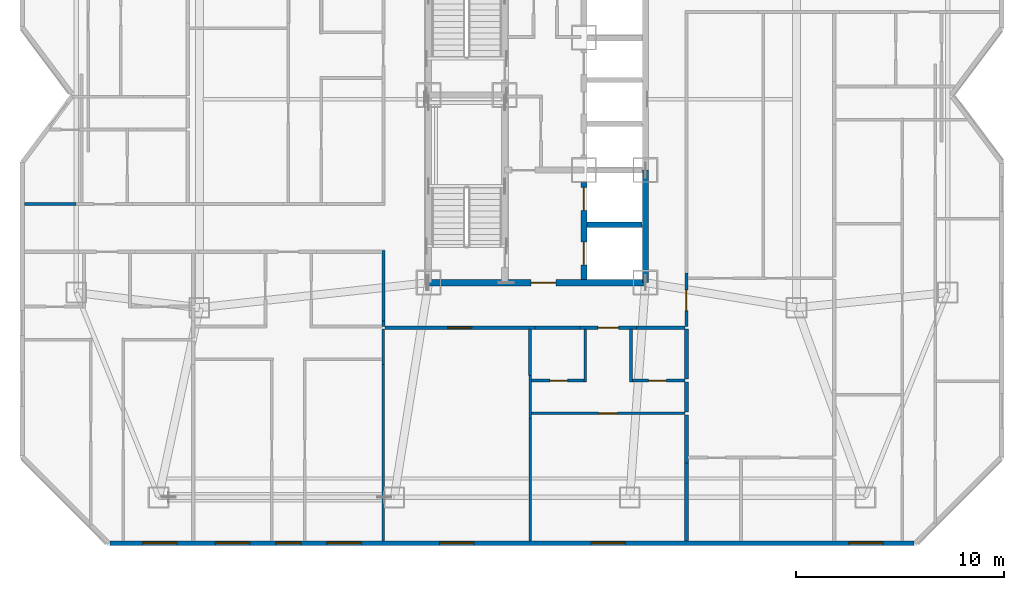
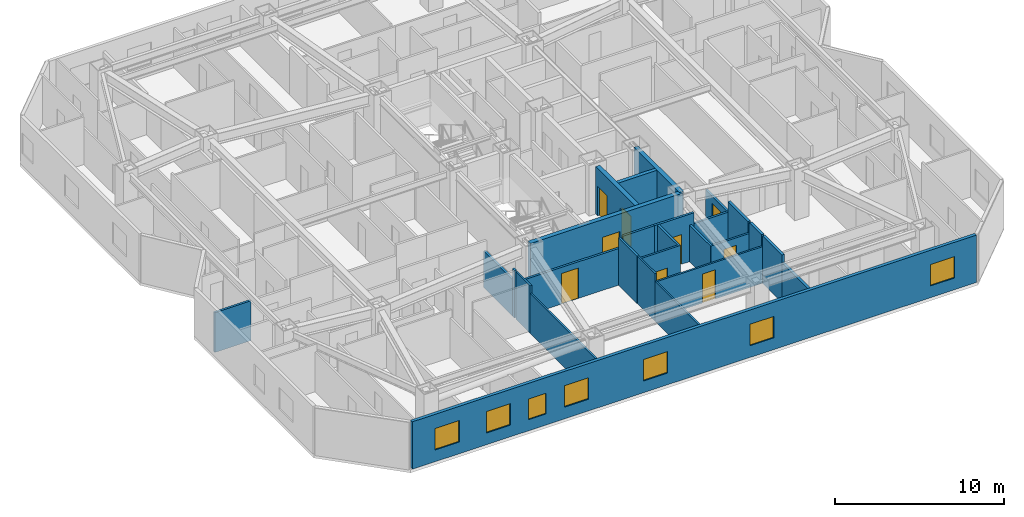
# One storey, part 6 of 13: 27 walls, 9 doors, 7 windows, 16 openings.
"""IFC4 building model written with IfcOpenShell, lengths in metres."""

from ifc_helpers import new_model, si_unit, direction, frame, frame_2d, origin, place, context, subcontext, project, spatial, rectangle, extrude, material, layer, layer_set, type_object, element, fill, save


model = new_model("IFC4")

# Units and contexts
model_context = context("Model", 3, precision=1e-05, world=origin(), true_north=direction((0.0, 1.0)))
body_context = subcontext(model_context, "Body", "Model", "MODEL_VIEW")
ifc_project = project(units=[si_unit("LENGTHUNIT", "METRE"), si_unit("AREAUNIT", "SQUARE_METRE"), si_unit("VOLUMEUNIT", "CUBIC_METRE"), si_unit("PLANEANGLEUNIT", "RADIAN"), si_unit("MASSUNIT", "GRAM", prefix="KILO")], contexts=[model_context])

# Site, building, storey
site_placement = place(None, origin())
site = spatial("IfcSite", under=ifc_project, at=site_placement, CompositionType="ELEMENT")
building_placement = place(site_placement, origin())
building = spatial("IfcBuilding", under=site, at=building_placement, Name="Khamvora Tower", CompositionType="ELEMENT")
storey_placement = place(building_placement, frame((0.0, 0.0, 105.550048828125)))
storey = spatial("IfcBuildingStorey", under=building, at=storey_placement, Name="L26", CompositionType="ELEMENT", Elevation=105.550048828125)

# Wall, opening, door
ifc_material_1 = material(Name="Concrete C50/60", Category="concrete")
ifc_layer_1 = layer(ifc_material_1, 0.300048828125)
ifc_layer_set_1 = layer_set([ifc_layer_1], Name="Concrete C50/60")
wall_type_1 = type_object("IfcWallType", Name="WAL-CORE-300", PredefinedType="SHEAR", material=ifc_layer_set_1)
wall_1_placement = place(storey_placement, frame((29.0, 19.0, 0.0), z_axis=(0.0, 0.0, 1.0), x_axis=(1.0, 0.0, 0.0)))
wall_1 = element("IfcWall", 1, at=wall_1_placement, inside=storey, type_object=wall_type_1, Name="L26 central core south wall", PredefinedType="SHEAR", context=body_context, shape_type="SweptSolid", body=[
    extrude(rectangle(XDim=10.39990234375, YDim=0.300048828125, at=frame_2d((5.199951171875, 0.0))), origin(), (0.0, 0.0, 1.0), 3.429931640625),
])
opening_1_placement = place(wall_1_placement, frame((4.89990234375, 0.0, 0.0)))
opening_1 = element("IfcOpeningElement", 2, at=opening_1_placement, cuts=wall_1, Name="Opening D-CR1", PredefinedType="OPENING", context=body_context, shape_type="SweptSolid", body=[
    extrude(rectangle(XDim=1.199951171875, YDim=2.14990234375, at=frame_2d((0.60009765625, 1.074951171875))), frame((0.0, 0.159912109375, 0.0), z_axis=(0.0, -1.0, 0.0), x_axis=(1.0, 0.0, 0.0)), (0.0, 0.0, 1.0), 0.320068359375),
])
ifc_material_2 = material(Name="Powder-Coated Steel and Hardwood Leaf", Category="steel")
door_type_1 = type_object("IfcDoorType", Name="DOR-CORR-1200", OperationType="NOTDEFINED", PredefinedType="DOOR", material=ifc_material_2)
door_1_placement = place(opening_1_placement, origin())
door_1 = element("IfcDoor", 3, at=door_1_placement, inside=storey, type_object=door_type_1, Name="L26 south core lobby to corridor fire door", OperationType="SINGLE_SWING_RIGHT", OverallHeight=2.14990234375, OverallWidth=1.199951171875, PredefinedType="DOOR", context=body_context, shape_type="SweptSolid", body=[
    extrude(rectangle(XDim=1.199951171875, YDim=2.14990234375, at=frame_2d((0.60009765625, 1.074951171875))), frame((0.0, 0.02490234375, 0.0), z_axis=(0.0, -1.0, 0.0), x_axis=(1.0, 0.0, 0.0)), (0.0, 0.0, 1.0), 0.050048828125),
])
fill(opening_1, door_1)

# Wall
wall_2_placement = place(storey_placement, frame((39.39990234375, 19.0, 0.0), z_axis=(0.0, 0.0, 1.0), x_axis=(0.0, 1.0, 0.0)))
element("IfcWall", 4, at=wall_2_placement, inside=storey, type_object=wall_type_1, Name="L26 central core east south wall", PredefinedType="SHEAR", context=body_context, shape_type="SweptSolid", body=[
    extrude(rectangle(XDim=5.39990234375, YDim=0.300048828125, at=frame_2d((2.699951171875, 0.0))), origin(), (0.0, 0.0, 1.0), 3.429931640625),
])

# Wall, openings, doors
wall_3_placement = place(storey_placement, frame((36.449951171875, 19.154052734375, 0.0), z_axis=(0.0, 0.0, 1.0), x_axis=(0.0, 1.0, 0.0)))
wall_3 = element("IfcWall", 5, at=wall_3_placement, inside=storey, type_object=wall_type_1, Name="L26 central core lift bank south wall", PredefinedType="SHEAR", context=body_context, shape_type="SweptSolid", body=[
    extrude(rectangle(XDim=4.64599609375, YDim=0.300048828125, at=frame_2d((2.322998046875, 0.0))), origin(), (0.0, 0.0, 1.0), 3.429931640625),
])
opening_2_placement = place(wall_3_placement, frame((0.696044921875, 0.0, 0.0)))
opening_2 = element("IfcOpeningElement", 6, at=opening_2_placement, cuts=wall_3, Name="Opening LD-FFL", PredefinedType="OPENING", context=body_context, shape_type="SweptSolid", body=[
    extrude(rectangle(XDim=1.10009765625, YDim=2.14990234375, at=frame_2d((0.550048828125, 1.074951171875))), frame((0.0, 0.159912109375, 0.0), z_axis=(0.0, -1.0, 0.0), x_axis=(1.0, 0.0, 0.0)), (0.0, 0.0, 1.0), 0.320068359375),
])
opening_3_placement = place(wall_3_placement, frame((3.31591796875, 0.0, 0.0)))
opening_3 = element("IfcOpeningElement", 7, at=opening_3_placement, cuts=wall_3, Name="Opening LD-FFL", PredefinedType="OPENING", context=body_context, shape_type="SweptSolid", body=[
    extrude(rectangle(XDim=1.10009765625, YDim=2.14990234375, at=frame_2d((0.550048828125, 1.074951171875))), frame((0.0, 0.159912109375, 0.0), z_axis=(0.0, -1.0, 0.0), x_axis=(1.0, 0.0, 0.0)), (0.0, 0.0, 1.0), 0.320068359375),
])
door_type_2 = type_object("IfcDoorType", Name="DOR-LIFT-1100", OperationType="SLIDING_TO_LEFT", PredefinedType="DOOR", material=ifc_material_2)
door_2_placement = place(opening_2_placement, origin())
door_2 = element("IfcDoor", 8, at=door_2_placement, inside=storey, type_object=door_type_2, Name="L26 lift landing sliding door FFL-01", OperationType="SLIDING_TO_LEFT", OverallHeight=2.14990234375, OverallWidth=1.10009765625, PredefinedType="DOOR", context=body_context, shape_type="SweptSolid", body=[
    extrude(rectangle(XDim=1.10009765625, YDim=2.14990234375, at=frame_2d((0.550048828125, 1.074951171875))), frame((0.0, 0.02490234375, 0.0), z_axis=(0.0, -1.0, 0.0), x_axis=(1.0, 0.0, 0.0)), (0.0, 0.0, 1.0), 0.050048828125),
])
fill(opening_2, door_2)
door_3_placement = place(opening_3_placement, origin())
door_3 = element("IfcDoor", 9, at=door_3_placement, inside=storey, type_object=door_type_2, Name="L26 lift landing sliding door FFL-02", OperationType="SLIDING_TO_LEFT", OverallHeight=2.14990234375, OverallWidth=1.10009765625, PredefinedType="DOOR", context=body_context, shape_type="SweptSolid", body=[
    extrude(rectangle(XDim=1.10009765625, YDim=2.14990234375, at=frame_2d((0.550048828125, 1.074951171875))), frame((0.0, 0.02490234375, 0.0), z_axis=(0.0, -1.0, 0.0), x_axis=(1.0, 0.0, 0.0)), (0.0, 0.0, 1.0), 0.050048828125),
])
fill(opening_3, door_3)

# Wall, opening, door
ifc_material_3 = material(Name="Fire-Rated Drywall and Steel Stud", Category="steel")
ifc_layer_2 = layer(ifc_material_3, 0.14990234375)
ifc_layer_set_2 = layer_set([ifc_layer_2], Name="Fire-Rated Drywall and Steel Stud")
wall_type_2 = type_object("IfcWallType", Name="WAL-CORR-150", PredefinedType="STANDARD", material=ifc_layer_set_2)
wall_4_placement = place(storey_placement, frame((34.114013671875, 16.8349609375, 0.0), z_axis=(0.0, 0.0, 1.0), x_axis=(-1.0, 0.0, 0.0)))
wall_4 = element("IfcWall", 10, at=wall_4_placement, inside=storey, type_object=wall_type_2, Name="L26 interior partition wall 008", PredefinedType="STANDARD", context=body_context, shape_type="SweptSolid", body=[
    extrude(rectangle(XDim=7.214111328125, YDim=0.14990234375, at=frame_2d((3.60693359375, 0.0))), origin(), (0.0, 0.0, 1.0), 2.64697265625),
])
opening_4_placement = place(wall_4_placement, frame((3.052978515625, 0.0, 0.0)))
opening_4 = element("IfcOpeningElement", 11, at=opening_4_placement, cuts=wall_4, Name="Opening D-SC1", PredefinedType="OPENING", context=body_context, shape_type="SweptSolid", body=[
    extrude(rectangle(XDim=1.14990234375, YDim=2.199951171875, at=frame_2d((0.574951171875, 1.10009765625))), frame((0.0, 0.0849609375, 0.0), z_axis=(0.0, -1.0, 0.0), x_axis=(1.0, 0.0, 0.0)), (0.0, 0.0, 1.0), 0.169921875),
])
door_type_3 = type_object("IfcDoorType", Name="DOR-SCHL-1150", OperationType="NOTDEFINED", PredefinedType="DOOR", material=ifc_material_2)
door_4_placement = place(opening_4_placement, origin())
door_4 = element("IfcDoor", 12, at=door_4_placement, inside=storey, type_object=door_type_3, Name="L26 interior door COR-RLIB", OperationType="SINGLE_SWING_LEFT", OverallHeight=2.199951171875, OverallWidth=1.14990234375, PredefinedType="DOOR", context=body_context, shape_type="SweptSolid", body=[
    extrude(rectangle(XDim=1.14990234375, YDim=2.199951171875, at=frame_2d((0.574951171875, 1.10009765625))), frame((0.0, 0.02490234375, 0.0), z_axis=(0.0, -1.0, 0.0), x_axis=(1.0, 0.0, 0.0)), (0.0, 0.0, 1.0), 0.050048828125),
])
fill(opening_4, door_4)

# Walls
wall_5_placement = place(storey_placement, frame((26.8349609375, 16.89990234375, 0.0), z_axis=(0.0, 0.0, 1.0), x_axis=(0.0, 1.0, 0.0)))
element("IfcWall", 13, at=wall_5_placement, inside=storey, type_object=wall_type_2, Name="L26 interior partition wall 012", PredefinedType="STANDARD", context=body_context, shape_type="SweptSolid", body=[
    extrude(rectangle(XDim=0.254150390625, YDim=0.14990234375, at=frame_2d((0.126953125, 0.0))), origin(), (0.0, 0.0, 1.0), 3.429931640625),
])
wall_6_placement = place(storey_placement, frame((26.8349609375, 17.154052734375, 0.0), z_axis=(0.0, 0.0, 1.0), x_axis=(0.0, 1.0, 0.0)))
element("IfcWall", 14, at=wall_6_placement, inside=storey, type_object=wall_type_2, Name="L26 interior partition wall 015", PredefinedType="STANDARD", context=body_context, shape_type="SweptSolid", body=[
    extrude(rectangle(XDim=3.39599609375, YDim=0.14990234375, at=frame_2d((1.697998046875, 0.0))), origin(), (0.0, 0.0, 1.0), 2.64697265625),
])
wall_7_placement = place(storey_placement, frame((9.612060546875, 22.764892578125, 0.0), z_axis=(0.0, 0.0, 1.0), x_axis=(1.0, 0.0, 0.0)))
element("IfcWall", 15, at=wall_7_placement, inside=storey, type_object=wall_type_2, Name="L26 interior partition wall 018", PredefinedType="STANDARD", context=body_context, shape_type="SweptSolid", body=[
    extrude(rectangle(XDim=2.48583984375, YDim=0.14990234375, at=frame_2d((1.242919921875, 0.0))), origin(), (0.0, 0.0, 1.0), 2.8759765625),
])

# Wall, opening, door
wall_8_placement = place(storey_placement, frame((38.964111328125, 16.8349609375, 0.0), z_axis=(0.0, 0.0, 1.0), x_axis=(-1.0, 0.0, 0.0)))
wall_8 = element("IfcWall", 16, at=wall_8_placement, inside=storey, type_object=wall_type_2, Name="L26 interior partition wall 027", PredefinedType="STANDARD", context=body_context, shape_type="SweptSolid", body=[
    extrude(rectangle(XDim=2.697998046875, YDim=0.14990234375, at=frame_2d((1.34912109375, 0.0))), origin(), (0.0, 0.0, 1.0), 3.429931640625),
])
opening_5_placement = place(wall_8_placement, frame((0.84912109375, 0.0, 0.0)))
opening_5 = element("IfcOpeningElement", 17, at=opening_5_placement, cuts=wall_8, Name="Opening D-U1", PredefinedType="OPENING", context=body_context, shape_type="SweptSolid", body=[
    extrude(rectangle(XDim=1.0, YDim=2.14990234375, at=frame_2d((0.5, 1.074951171875))), frame((0.0, 0.0849609375, 0.0), z_axis=(0.0, -1.0, 0.0), x_axis=(1.0, 0.0, 0.0)), (0.0, 0.0, 1.0), 0.169921875),
])
door_type_4 = type_object("IfcDoorType", Name="DOR-UNIT-1000", OperationType="NOTDEFINED", PredefinedType="DOOR", material=ifc_material_2)
door_5_placement = place(opening_5_placement, origin())
door_5 = element("IfcDoor", 18, at=door_5_placement, inside=storey, type_object=door_type_4, Name="L26 interior door COR-26SAH", OperationType="SINGLE_SWING_RIGHT", OverallHeight=2.14990234375, OverallWidth=1.0, PredefinedType="DOOR", context=body_context, shape_type="SweptSolid", body=[
    extrude(rectangle(XDim=1.0, YDim=2.14990234375, at=frame_2d((0.5, 1.074951171875))), frame((0.0, 0.02490234375, 0.0), z_axis=(0.0, -1.0, 0.0), x_axis=(1.0, 0.0, 0.0)), (0.0, 0.0, 1.0), 0.050048828125),
])
fill(opening_5, door_5)

# Walls
wall_9_placement = place(storey_placement, frame((36.26611328125, 16.8349609375, 0.0), z_axis=(0.0, 0.0, 1.0), x_axis=(-1.0, 0.0, 0.0)))
element("IfcWall", 19, at=wall_9_placement, inside=storey, type_object=wall_type_2, Name="L26 interior partition wall 028", PredefinedType="STANDARD", context=body_context, shape_type="SweptSolid", body=[
    extrude(rectangle(XDim=2.152099609375, YDim=0.14990234375, at=frame_2d((1.076171875, 0.0))), origin(), (0.0, 0.0, 1.0), 3.429931640625),
])
wall_10_placement = place(storey_placement, frame((41.300048828125, 16.8349609375, 0.0), z_axis=(0.0, 0.0, 1.0), x_axis=(-1.0, 0.0, 0.0)))
element("IfcWall", 20, at=wall_10_placement, inside=storey, type_object=wall_type_2, Name="L26 interior partition wall 029", PredefinedType="STANDARD", context=body_context, shape_type="SweptSolid", body=[
    extrude(rectangle(XDim=2.3359375, YDim=0.14990234375, at=frame_2d((1.16796875, 0.0))), origin(), (0.0, 0.0, 1.0), 2.64697265625),
])

# Wall, opening, door
wall_11_placement = place(storey_placement, frame((41.364990234375, 19.458984375, 0.0), z_axis=(0.0, 0.0, 1.0), x_axis=(0.0, -1.0, 0.0)))
wall_11 = element("IfcWall", 21, at=wall_11_placement, inside=storey, type_object=wall_type_2, Name="L26 interior partition wall 033", PredefinedType="STANDARD", context=body_context, shape_type="SweptSolid", body=[
    extrude(rectangle(XDim=2.55908203125, YDim=0.14990234375, at=frame_2d((1.279541015625, 0.0))), origin(), (0.0, 0.0, 1.0), 2.64697265625),
])
opening_6_placement = place(wall_11_placement, frame((0.800048828125, 0.0, 0.0)))
opening_6 = element("IfcOpeningElement", 22, at=opening_6_placement, cuts=wall_11, Name="Opening D-U1", PredefinedType="OPENING", context=body_context, shape_type="SweptSolid", body=[
    extrude(rectangle(XDim=1.0, YDim=2.14990234375, at=frame_2d((0.5, 1.074951171875))), frame((0.0, 0.0849609375, 0.0), z_axis=(0.0, -1.0, 0.0), x_axis=(1.0, 0.0, 0.0)), (0.0, 0.0, 1.0), 0.169921875),
])
door_6_placement = place(opening_6_placement, origin())
door_6 = element("IfcDoor", 23, at=door_6_placement, inside=storey, type_object=door_type_4, Name="L26 interior door COR-26EAH", OperationType="SINGLE_SWING_RIGHT", OverallHeight=2.14990234375, OverallWidth=1.0, PredefinedType="DOOR", context=body_context, shape_type="SweptSolid", body=[
    extrude(rectangle(XDim=1.0, YDim=2.14990234375, at=frame_2d((0.5, 1.074951171875))), frame((0.0, 0.02490234375, 0.0), z_axis=(0.0, -1.0, 0.0), x_axis=(1.0, 0.0, 0.0)), (0.0, 0.0, 1.0), 0.050048828125),
])
fill(opening_6, door_6)

# Walls
ifc_material_4 = material(Name="Acoustic Double-Stud Fire Wall", Category="gypsum")
ifc_layer_3 = layer(ifc_material_4, 0.179931640625)
ifc_layer_set_3 = layer_set([ifc_layer_3], Name="Acoustic Double-Stud Fire Wall")
wall_type_3 = type_object("IfcWallType", Name="WAL-CORR-180", PredefinedType="STANDARD", material=ifc_layer_set_3)
wall_12_placement = place(storey_placement, frame((41.364990234375, 14.239990234375, 0.0), z_axis=(0.0, 0.0, 1.0), x_axis=(0.0, -1.0, 0.0)))
element("IfcWall", 24, at=wall_12_placement, inside=storey, type_object=wall_type_3, Name="L26 interior partition wall 116", PredefinedType="STANDARD", context=body_context, shape_type="SweptSolid", body=[
    extrude(rectangle(XDim=1.449951171875, YDim=0.179931640625, at=frame_2d((0.72509765625, 0.0))), origin(), (0.0, 0.0, 1.0), 3.429931640625),
])
wall_13_placement = place(storey_placement, frame((41.364990234375, 16.77001953125, 0.0), z_axis=(0.0, 0.0, 1.0), x_axis=(0.0, -1.0, 0.0)))
element("IfcWall", 25, at=wall_13_placement, inside=storey, type_object=wall_type_3, Name="L26 interior partition wall 117", PredefinedType="STANDARD", context=body_context, shape_type="SweptSolid", body=[
    extrude(rectangle(XDim=2.39990234375, YDim=0.179931640625, at=frame_2d((1.199951171875, 0.0))), origin(), (0.0, 0.0, 1.0), 3.429931640625),
])
wall_14_placement = place(storey_placement, frame((41.364990234375, 12.659912109375, 0.0), z_axis=(0.0, 0.0, 1.0), x_axis=(0.0, -1.0, 0.0)))
element("IfcWall", 26, at=wall_14_placement, inside=storey, type_object=wall_type_3, Name="L26 interior partition wall 118", PredefinedType="STANDARD", context=body_context, shape_type="SweptSolid", body=[
    extrude(rectangle(XDim=2.298828125, YDim=0.179931640625, at=frame_2d((1.1494140625, 0.0))), origin(), (0.0, 0.0, 1.0), 3.429931640625),
])
wall_15_placement = place(storey_placement, frame((41.364990234375, 10.361083984375, 0.0), z_axis=(0.0, 0.0, 1.0), x_axis=(0.0, -1.0, 0.0)))
element("IfcWall", 27, at=wall_15_placement, inside=storey, type_object=wall_type_3, Name="L26 interior partition wall 119", PredefinedType="STANDARD", context=body_context, shape_type="SweptSolid", body=[
    extrude(rectangle(XDim=3.7490234375, YDim=0.179931640625, at=frame_2d((1.87451171875, 0.0))), origin(), (0.0, 0.0, 1.0), 2.8759765625),
])

# Wall, openings, windows
ifc_material_5 = material(Name="Precast concrete C40/50", Category="concrete")
ifc_layer_4 = layer(ifc_material_5, 0.219970703125)
ifc_layer_set_4 = layer_set([ifc_layer_4], Name="Precast concrete C40/50")
wall_type_4 = type_object("IfcWallType", Name="WAL-EXT-220", PredefinedType="STANDARD", material=ifc_layer_set_4)
wall_16_placement = place(storey_placement, frame((52.282958984375, 6.510009765625, 0.0), z_axis=(0.0, 0.0, 1.0), x_axis=(-1.0, 0.0, 0.0)))
wall_16 = element("IfcWall", 28, at=wall_16_placement, inside=storey, type_object=wall_type_4, Name="L26 exterior facade wall 14.1", PredefinedType="STANDARD", context=body_context, shape_type="SweptSolid", body=[
    extrude(rectangle(XDim=38.56787109375, YDim=0.219970703125, at=frame_2d((19.283935546875, 0.0))), origin(), (0.0, 0.0, 1.0), 3.429931640625),
])
opening_7_placement = place(wall_16_placement, frame((21.10791015625, 0.0, 0.85009765625)))
opening_7 = element("IfcOpeningElement", 29, at=opening_7_placement, cuts=wall_16, Name="Opening WN-06", PredefinedType="OPENING", context=body_context, shape_type="SweptSolid", body=[
    extrude(rectangle(XDim=1.64990234375, YDim=1.550048828125, at=frame_2d((0.824951171875, 0.77490234375))), frame((0.0, 0.119873046875, 0.0), z_axis=(0.0, -1.0, 0.0), x_axis=(1.0, 0.0, 0.0)), (0.0, 0.0, 1.0), 0.239990234375),
])
opening_8_placement = place(wall_16_placement, frame((35.35498046875, 0.0, 0.85009765625)))
opening_8 = element("IfcOpeningElement", 30, at=opening_8_placement, cuts=wall_16, Name="Opening WN-06", PredefinedType="OPENING", context=body_context, shape_type="SweptSolid", body=[
    extrude(rectangle(XDim=1.64990234375, YDim=1.550048828125, at=frame_2d((0.824951171875, 0.77490234375))), frame((0.0, 0.119873046875, 0.0), z_axis=(0.0, -1.0, 0.0), x_axis=(1.0, 0.0, 0.0)), (0.0, 0.0, 1.0), 0.239990234375),
])
opening_9_placement = place(wall_16_placement, frame((29.4130859375, 0.0, 0.800048828125)))
opening_9 = element("IfcOpeningElement", 31, at=opening_9_placement, cuts=wall_16, Name="Opening WN-03", PredefinedType="OPENING", context=body_context, shape_type="SweptSolid", body=[
    extrude(rectangle(XDim=1.199951171875, YDim=1.5, at=frame_2d((0.60009765625, 0.75))), frame((0.0, 0.119873046875, 0.0), z_axis=(0.0, -1.0, 0.0), x_axis=(1.0, 0.0, 0.0)), (0.0, 0.0, 1.0), 0.239990234375),
])
opening_10_placement = place(wall_16_placement, frame((31.863037109375, 0.0, 0.85009765625)))
opening_10 = element("IfcOpeningElement", 32, at=opening_10_placement, cuts=wall_16, Name="Opening WN-06", PredefinedType="OPENING", context=body_context, shape_type="SweptSolid", body=[
    extrude(rectangle(XDim=1.64990234375, YDim=1.550048828125, at=frame_2d((0.824951171875, 0.77490234375))), frame((0.0, 0.119873046875, 0.0), z_axis=(0.0, -1.0, 0.0), x_axis=(1.0, 0.0, 0.0)), (0.0, 0.0, 1.0), 0.239990234375),
])
opening_11_placement = place(wall_16_placement, frame((26.512939453125, 0.0, 0.85009765625)))
opening_11 = element("IfcOpeningElement", 33, at=opening_11_placement, cuts=wall_16, Name="Opening WN-06", PredefinedType="OPENING", context=body_context, shape_type="SweptSolid", body=[
    extrude(rectangle(XDim=1.64990234375, YDim=1.550048828125, at=frame_2d((0.824951171875, 0.77490234375))), frame((0.0, 0.119873046875, 0.0), z_axis=(0.0, -1.0, 0.0), x_axis=(1.0, 0.0, 0.0)), (0.0, 0.0, 1.0), 0.239990234375),
])
opening_12_placement = place(wall_16_placement, frame((13.843017578125, 0.0, 0.85009765625)))
opening_12 = element("IfcOpeningElement", 34, at=opening_12_placement, cuts=wall_16, Name="Opening WN-06", PredefinedType="OPENING", context=body_context, shape_type="SweptSolid", body=[
    extrude(rectangle(XDim=1.64990234375, YDim=1.550048828125, at=frame_2d((0.824951171875, 0.77490234375))), frame((0.0, 0.119873046875, 0.0), z_axis=(0.0, -1.0, 0.0), x_axis=(1.0, 0.0, 0.0)), (0.0, 0.0, 1.0), 0.239990234375),
])
opening_13_placement = place(wall_16_placement, frame((1.47900390625, 0.0, 0.85009765625)))
opening_13 = element("IfcOpeningElement", 35, at=opening_13_placement, cuts=wall_16, Name="Opening WN-06", PredefinedType="OPENING", context=body_context, shape_type="SweptSolid", body=[
    extrude(rectangle(XDim=1.64990234375, YDim=1.550048828125, at=frame_2d((0.824951171875, 0.77490234375))), frame((0.0, 0.119873046875, 0.0), z_axis=(0.0, -1.0, 0.0), x_axis=(1.0, 0.0, 0.0)), (0.0, 0.0, 1.0), 0.239990234375),
])
ifc_material_6 = material(Name="Low-E Laminated Double Glazing", Category="glass")
window_type_1 = type_object("IfcWindowType", Name="WIN-VIS-1200x1500", PartitioningType="SINGLE_PANEL", PredefinedType="WINDOW", material=ifc_material_6)
window_1_placement = place(opening_9_placement, origin())
window_1 = element("IfcWindow", 36, at=window_1_placement, inside=storey, type_object=window_type_1, Name="L26 vision window 14.1.03", OverallHeight=1.5, OverallWidth=1.199951171875, PartitioningType="SINGLE_PANEL", PredefinedType="WINDOW", context=body_context, shape_type="SweptSolid", body=[
    extrude(rectangle(XDim=1.199951171875, YDim=1.5, at=frame_2d((0.60009765625, 0.75))), frame((0.0, 0.030029296875, 0.0), z_axis=(0.0, -1.0, 0.0), x_axis=(1.0, 0.0, 0.0)), (0.0, 0.0, 1.0), 0.06005859375),
])
fill(opening_9, window_1)
window_type_2 = type_object("IfcWindowType", Name="WIN-VIS-1650x1550", PartitioningType="SINGLE_PANEL", PredefinedType="WINDOW", material=ifc_material_6)
window_2_placement = place(opening_7_placement, origin())
window_2 = element("IfcWindow", 37, at=window_2_placement, inside=storey, type_object=window_type_2, Name="L26 vision window 14.1.01", OverallHeight=1.550048828125, OverallWidth=1.64990234375, PartitioningType="SINGLE_PANEL", PredefinedType="WINDOW", context=body_context, shape_type="SweptSolid", body=[
    extrude(rectangle(XDim=1.64990234375, YDim=1.550048828125, at=frame_2d((0.824951171875, 0.77490234375))), frame((0.0, 0.030029296875, 0.0), z_axis=(0.0, -1.0, 0.0), x_axis=(1.0, 0.0, 0.0)), (0.0, 0.0, 1.0), 0.06005859375),
])
fill(opening_7, window_2)
window_3_placement = place(opening_8_placement, origin())
window_3 = element("IfcWindow", 38, at=window_3_placement, inside=storey, type_object=window_type_2, Name="L26 vision window 14.1.02", OverallHeight=1.550048828125, OverallWidth=1.64990234375, PartitioningType="SINGLE_PANEL", PredefinedType="WINDOW", context=body_context, shape_type="SweptSolid", body=[
    extrude(rectangle(XDim=1.64990234375, YDim=1.550048828125, at=frame_2d((0.824951171875, 0.77490234375))), frame((0.0, 0.030029296875, 0.0), z_axis=(0.0, -1.0, 0.0), x_axis=(1.0, 0.0, 0.0)), (0.0, 0.0, 1.0), 0.06005859375),
])
fill(opening_8, window_3)
window_4_placement = place(opening_10_placement, origin())
window_4 = element("IfcWindow", 39, at=window_4_placement, inside=storey, type_object=window_type_2, Name="L26 vision window 14.1.04", OverallHeight=1.550048828125, OverallWidth=1.64990234375, PartitioningType="SINGLE_PANEL", PredefinedType="WINDOW", context=body_context, shape_type="SweptSolid", body=[
    extrude(rectangle(XDim=1.64990234375, YDim=1.550048828125, at=frame_2d((0.824951171875, 0.77490234375))), frame((0.0, 0.030029296875, 0.0), z_axis=(0.0, -1.0, 0.0), x_axis=(1.0, 0.0, 0.0)), (0.0, 0.0, 1.0), 0.06005859375),
])
fill(opening_10, window_4)
window_5_placement = place(opening_11_placement, origin())
window_5 = element("IfcWindow", 40, at=window_5_placement, inside=storey, type_object=window_type_2, Name="L26 vision window 14.1.05", OverallHeight=1.550048828125, OverallWidth=1.64990234375, PartitioningType="SINGLE_PANEL", PredefinedType="WINDOW", context=body_context, shape_type="SweptSolid", body=[
    extrude(rectangle(XDim=1.64990234375, YDim=1.550048828125, at=frame_2d((0.824951171875, 0.77490234375))), frame((0.0, 0.030029296875, 0.0), z_axis=(0.0, -1.0, 0.0), x_axis=(1.0, 0.0, 0.0)), (0.0, 0.0, 1.0), 0.06005859375),
])
fill(opening_11, window_5)
window_6_placement = place(opening_12_placement, origin())
window_6 = element("IfcWindow", 41, at=window_6_placement, inside=storey, type_object=window_type_2, Name="L26 vision window 14.1.06", OverallHeight=1.550048828125, OverallWidth=1.64990234375, PartitioningType="SINGLE_PANEL", PredefinedType="WINDOW", context=body_context, shape_type="SweptSolid", body=[
    extrude(rectangle(XDim=1.64990234375, YDim=1.550048828125, at=frame_2d((0.824951171875, 0.77490234375))), frame((0.0, 0.030029296875, 0.0), z_axis=(0.0, -1.0, 0.0), x_axis=(1.0, 0.0, 0.0)), (0.0, 0.0, 1.0), 0.06005859375),
])
fill(opening_12, window_6)
window_7_placement = place(opening_13_placement, origin())
window_7 = element("IfcWindow", 42, at=window_7_placement, inside=storey, type_object=window_type_2, Name="L26 vision window 14.1.07", OverallHeight=1.550048828125, OverallWidth=1.64990234375, PartitioningType="SINGLE_PANEL", PredefinedType="WINDOW", context=body_context, shape_type="SweptSolid", body=[
    extrude(rectangle(XDim=1.64990234375, YDim=1.550048828125, at=frame_2d((0.824951171875, 0.77490234375))), frame((0.0, 0.030029296875, 0.0), z_axis=(0.0, -1.0, 0.0), x_axis=(1.0, 0.0, 0.0)), (0.0, 0.0, 1.0), 0.06005859375),
])
fill(opening_13, window_7)

# Walls
ifc_material_7 = material(Name="Gypsum Plasterboard Partition", Category="gypsum")
ifc_layer_5 = layer(ifc_material_7, 0.1201171875)
ifc_layer_set_5 = layer_set([ifc_layer_5], Name="Gypsum Plasterboard Partition")
wall_type_5 = type_object("IfcWallType", Name="WAL-PART-120", PredefinedType="PARTITIONING", material=ifc_layer_set_5)
wall_17_placement = place(storey_placement, frame((26.8349609375, 15.075927734375, 0.0), z_axis=(0.0, 0.0, 1.0), x_axis=(0.0, 1.0, 0.0)))
element("IfcWall", 43, at=wall_17_placement, inside=storey, type_object=wall_type_5, Name="L26 interior partition wall 045", PredefinedType="PARTITIONING", context=body_context, shape_type="SweptSolid", body=[
    extrude(rectangle(XDim=1.694091796875, YDim=0.1201171875, at=frame_2d((0.84716796875, 0.0))), origin(), (0.0, 0.0, 1.0), 3.429931640625),
])
wall_18_placement = place(storey_placement, frame((26.8349609375, 6.612060546875, 0.0), z_axis=(0.0, 0.0, 1.0), x_axis=(0.0, 1.0, 0.0)))
element("IfcWall", 44, at=wall_18_placement, inside=storey, type_object=wall_type_5, Name="L26 interior partition wall 046", PredefinedType="PARTITIONING", context=body_context, shape_type="SweptSolid", body=[
    extrude(rectangle(XDim=8.4638671875, YDim=0.1201171875, at=frame_2d((4.23193359375, 0.0))), origin(), (0.0, 0.0, 1.0), 2.8759765625),
])
wall_19_placement = place(storey_placement, frame((33.864990234375, 14.553955078125, 0.0), z_axis=(0.0, 0.0, 1.0), x_axis=(0.0, -1.0, 0.0)))
element("IfcWall", 45, at=wall_19_placement, inside=storey, type_object=wall_type_5, Name="L26 interior partition wall 047", PredefinedType="PARTITIONING", context=body_context, shape_type="SweptSolid", body=[
    extrude(rectangle(XDim=2.077880859375, YDim=0.1201171875, at=frame_2d((1.0390625, 0.0))), origin(), (0.0, 0.0, 1.0), 3.429931640625),
])
wall_20_placement = place(storey_placement, frame((33.864990234375, 12.47607421875, 0.0), z_axis=(0.0, 0.0, 1.0), x_axis=(0.0, -1.0, 0.0)))
element("IfcWall", 46, at=wall_20_placement, inside=storey, type_object=wall_type_5, Name="L26 interior partition wall 049", PredefinedType="PARTITIONING", context=body_context, shape_type="SweptSolid", body=[
    extrude(rectangle(XDim=5.864013671875, YDim=0.1201171875, at=frame_2d((2.93212890625, 0.0))), origin(), (0.0, 0.0, 1.0), 2.8759765625),
])

# Wall, opening, door
wall_21_placement = place(storey_placement, frame((41.300048828125, 12.72509765625, 0.0), z_axis=(0.0, 0.0, 1.0), x_axis=(-1.0, 0.0, 0.0)))
wall_21 = element("IfcWall", 47, at=wall_21_placement, inside=storey, type_object=wall_type_5, Name="L26 interior partition wall 115", PredefinedType="PARTITIONING", context=body_context, shape_type="SweptSolid", body=[
    extrude(rectangle(XDim=7.381103515625, YDim=0.1201171875, at=frame_2d((3.6904296875, 0.0))), origin(), (0.0, 0.0, 1.0), 2.64697265625),
])
opening_14_placement = place(wall_21_placement, frame((3.239990234375, 0.0, 0.0)))
opening_14 = element("IfcOpeningElement", 48, at=opening_14_placement, cuts=wall_21, Name="Opening D-RM1", PredefinedType="OPENING", context=body_context, shape_type="SweptSolid", body=[
    extrude(rectangle(XDim=0.89990234375, YDim=2.10009765625, at=frame_2d((0.449951171875, 1.050048828125))), frame((0.0, 0.070068359375, 0.0), z_axis=(0.0, -1.0, 0.0), x_axis=(1.0, 0.0, 0.0)), (0.0, 0.0, 1.0), 0.14013671875),
])
door_type_5 = type_object("IfcDoorType", Name="DOR-ROOM-900", OperationType="NOTDEFINED", PredefinedType="DOOR", material=ifc_material_2)
door_7_placement = place(opening_14_placement, origin())
door_7 = element("IfcDoor", 49, at=door_7_placement, inside=storey, type_object=door_type_5, Name="L26 interior door 26SAH-26SAR1", OperationType="SINGLE_SWING_LEFT", OverallHeight=2.10009765625, OverallWidth=0.89990234375, PredefinedType="DOOR", context=body_context, shape_type="SweptSolid", body=[
    extrude(rectangle(XDim=0.89990234375, YDim=2.10009765625, at=frame_2d((0.449951171875, 1.050048828125))), frame((0.0, 0.02490234375, 0.0), z_axis=(0.0, -1.0, 0.0), x_axis=(1.0, 0.0, 0.0)), (0.0, 0.0, 1.0), 0.050048828125),
])
fill(opening_14, door_7)

# Walls
ifc_material_8 = material(Name="Concrete C40/50", Category="concrete")
ifc_layer_6 = layer(ifc_material_8, 0.25)
ifc_layer_set_6 = layer_set([ifc_layer_6], Name="Concrete C40/50")
wall_type_6 = type_object("IfcWallType", Name="WAL-PODS-250", PredefinedType="SHEAR", material=ifc_layer_set_6)
wall_22_placement = place(storey_placement, frame((36.60400390625, 21.77490234375, 0.0), z_axis=(0.0, 0.0, 1.0), x_axis=(1.0, 0.0, 0.0)))
element("IfcWall", 50, at=wall_22_placement, inside=storey, type_object=wall_type_6, Name="L26 lift shaft divider wall FFL-01", PredefinedType="SHEAR", context=body_context, shape_type="SweptSolid", body=[
    extrude(rectangle(XDim=2.64208984375, YDim=0.25, at=frame_2d((1.321044921875, 0.0))), origin(), (0.0, 0.0, 1.0), 3.429931640625),
])
ifc_material_9 = material(Name="Moisture-Resistant Plasterboard Partition", Category="gypsum")
ifc_layer_7 = layer(ifc_material_9, 0.135009765625)
ifc_layer_set_7 = layer_set([ifc_layer_7], Name="Moisture-Resistant Plasterboard Partition")
wall_type_7 = type_object("IfcWallType", Name="WAL-WET-135", PredefinedType="PARTITIONING", material=ifc_layer_set_7)
wall_23_placement = place(storey_placement, frame((33.864990234375, 16.77001953125, 0.0), z_axis=(0.0, 0.0, 1.0), x_axis=(0.0, -1.0, 0.0)))
element("IfcWall", 51, at=wall_23_placement, inside=storey, type_object=wall_type_7, Name="L26 interior partition wall 048", PredefinedType="PARTITIONING", context=body_context, shape_type="SweptSolid", body=[
    extrude(rectangle(XDim=2.216064453125, YDim=0.135009765625, at=frame_2d((1.10791015625, 0.0))), origin(), (0.0, 0.0, 1.0), 3.429931640625),
])

# Wall, opening, door
wall_24_placement = place(storey_placement, frame((33.9189453125, 14.304931640625, 0.0), z_axis=(0.0, 0.0, 1.0), x_axis=(1.0, 0.0, 0.0)))
wall_24 = element("IfcWall", 52, at=wall_24_placement, inside=storey, type_object=wall_type_7, Name="L26 interior partition wall 111", PredefinedType="PARTITIONING", context=body_context, shape_type="SweptSolid", body=[
    extrude(rectangle(XDim=2.6611328125, YDim=0.135009765625, at=frame_2d((1.33056640625, 0.0))), origin(), (0.0, 0.0, 1.0), 3.429931640625),
])
opening_15_placement = place(wall_24_placement, frame((0.905029296875, 0.0, 0.0)))
opening_15 = element("IfcOpeningElement", 53, at=opening_15_placement, cuts=wall_24, Name="Opening D-WC1", PredefinedType="OPENING", context=body_context, shape_type="SweptSolid", body=[
    extrude(rectangle(XDim=0.85009765625, YDim=2.10009765625, at=frame_2d((0.425048828125, 1.050048828125))), frame((0.0, 0.077392578125, 0.0), z_axis=(0.0, -1.0, 0.0), x_axis=(1.0, 0.0, 0.0)), (0.0, 0.0, 1.0), 0.155029296875),
])
door_type_6 = type_object("IfcDoorType", Name="DOR-WET-850", OperationType="NOTDEFINED", PredefinedType="DOOR", material=ifc_material_2)
door_8_placement = place(opening_15_placement, origin())
door_8 = element("IfcDoor", 54, at=door_8_placement, inside=storey, type_object=door_type_6, Name="L26 interior door 26SAH-26SAB", OperationType="SINGLE_SWING_LEFT", OverallHeight=2.10009765625, OverallWidth=0.85009765625, PredefinedType="DOOR", context=body_context, shape_type="SweptSolid", body=[
    extrude(rectangle(XDim=0.85009765625, YDim=2.10009765625, at=frame_2d((0.425048828125, 1.050048828125))), frame((0.0, 0.02490234375, 0.0), z_axis=(0.0, -1.0, 0.0), x_axis=(1.0, 0.0, 0.0)), (0.0, 0.0, 1.0), 0.050048828125),
])
fill(opening_15, door_8)

# Walls
wall_25_placement = place(storey_placement, frame((36.514892578125, 14.239990234375, 0.0), z_axis=(0.0, 0.0, 1.0), x_axis=(0.0, 1.0, 0.0)))
element("IfcWall", 55, at=wall_25_placement, inside=storey, type_object=wall_type_7, Name="L26 interior partition wall 112", PredefinedType="PARTITIONING", context=body_context, shape_type="SweptSolid", body=[
    extrude(rectangle(XDim=2.530029296875, YDim=0.135009765625, at=frame_2d((1.26513671875, 0.0))), origin(), (0.0, 0.0, 1.0), 3.429931640625),
])
wall_26_placement = place(storey_placement, frame((38.715087890625, 16.77001953125, 0.0), z_axis=(0.0, 0.0, 1.0), x_axis=(0.0, -1.0, 0.0)))
element("IfcWall", 56, at=wall_26_placement, inside=storey, type_object=wall_type_7, Name="L26 interior partition wall 113", PredefinedType="PARTITIONING", context=body_context, shape_type="SweptSolid", body=[
    extrude(rectangle(XDim=2.530029296875, YDim=0.135009765625, at=frame_2d((1.26513671875, 0.0))), origin(), (0.0, 0.0, 1.0), 2.64697265625),
])

# Wall, opening, door
wall_27_placement = place(storey_placement, frame((38.64990234375, 14.304931640625, 0.0), z_axis=(0.0, 0.0, 1.0), x_axis=(1.0, 0.0, 0.0)))
wall_27 = element("IfcWall", 57, at=wall_27_placement, inside=storey, type_object=wall_type_7, Name="L26 interior partition wall 114", PredefinedType="PARTITIONING", context=body_context, shape_type="SweptSolid", body=[
    extrude(rectangle(XDim=2.650146484375, YDim=0.135009765625, at=frame_2d((1.3251953125, 0.0))), origin(), (0.0, 0.0, 1.0), 2.64697265625),
])
opening_16_placement = place(wall_27_placement, frame((0.89990234375, 0.0, 0.0)))
opening_16 = element("IfcOpeningElement", 58, at=opening_16_placement, cuts=wall_27, Name="Opening D-RM2", PredefinedType="OPENING", context=body_context, shape_type="SweptSolid", body=[
    extrude(rectangle(XDim=0.85009765625, YDim=2.10009765625, at=frame_2d((0.425048828125, 1.050048828125))), frame((0.0, 0.077392578125, 0.0), z_axis=(0.0, -1.0, 0.0), x_axis=(1.0, 0.0, 0.0)), (0.0, 0.0, 1.0), 0.155029296875),
])
door_type_7 = type_object("IfcDoorType", Name="DOR-ROOM-850", OperationType="NOTDEFINED", PredefinedType="DOOR", material=ifc_material_2)
door_9_placement = place(opening_16_placement, origin())
door_9 = element("IfcDoor", 59, at=door_9_placement, inside=storey, type_object=door_type_7, Name="L26 interior door 26SAH-26SAK", OperationType="SINGLE_SWING_RIGHT", OverallHeight=2.10009765625, OverallWidth=0.85009765625, PredefinedType="DOOR", context=body_context, shape_type="SweptSolid", body=[
    extrude(rectangle(XDim=0.85009765625, YDim=2.10009765625, at=frame_2d((0.425048828125, 1.050048828125))), frame((0.0, 0.02490234375, 0.0), z_axis=(0.0, -1.0, 0.0), x_axis=(1.0, 0.0, 0.0)), (0.0, 0.0, 1.0), 0.050048828125),
])
fill(opening_16, door_9)

save(model, "model.ifc")
